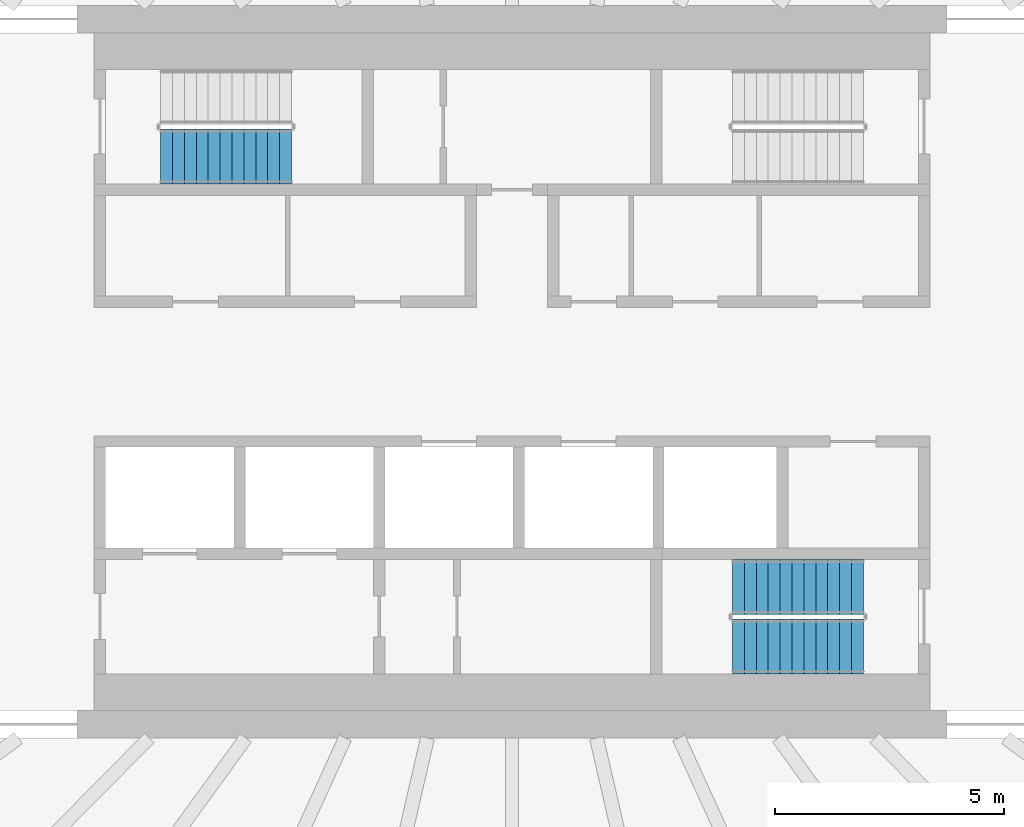
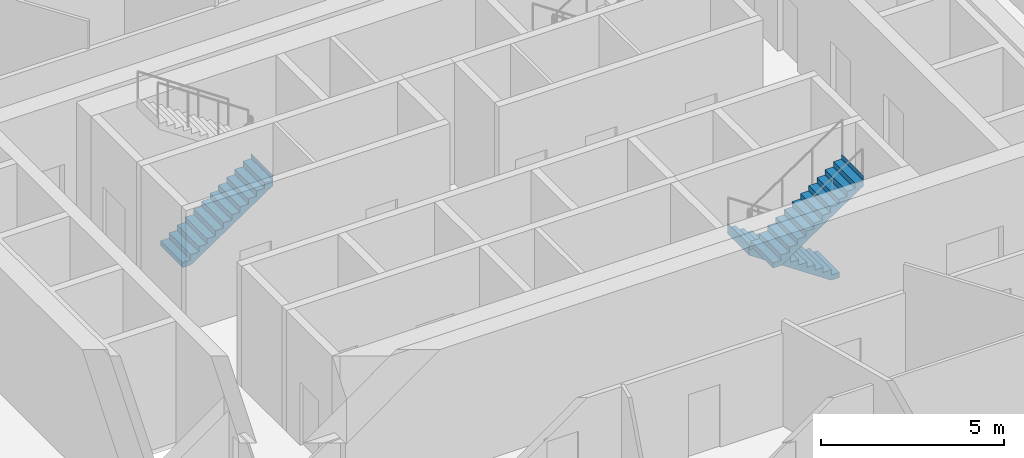
# One storey, part 18 of 25: 3 stair flights, 2 elements without a shape of their own.
"""IFC4 building model written with IfcOpenShell, lengths in metres."""

from ifc_helpers import new_model, si_unit, direction, frame, origin, place, context, subcontext, project, spatial, triangles, material, type_object, element, aggregate, save


model = new_model("IFC4")

# Units and contexts
model_context = context("Model", 3, precision=1e-05, world=origin(), true_north=direction((0.0, 1.0)))
body_context = subcontext(model_context, "Body", "Model", "MODEL_VIEW")
ifc_project = project(units=[si_unit("LENGTHUNIT", "METRE"), si_unit("AREAUNIT", "SQUARE_METRE"), si_unit("VOLUMEUNIT", "CUBIC_METRE"), si_unit("PLANEANGLEUNIT", "RADIAN"), si_unit("MASSUNIT", "GRAM", prefix="KILO")], contexts=[model_context])

# Site, building, storey
site_placement = place(None, origin())
site = spatial("IfcSite", under=ifc_project, at=site_placement, CompositionType="ELEMENT")
building_placement = place(site_placement, origin())
building = spatial("IfcBuilding", under=site, at=building_placement, Name="Sahrelin Media Tower", CompositionType="ELEMENT")
storey_placement = place(building_placement, frame((0.0, 0.0, 106.199951171875)))
storey = spatial("IfcBuildingStorey", under=building, at=storey_placement, Name="L20", CompositionType="ELEMENT", Elevation=106.199951171875)

# Stair, stair flight
ifc_material = material(Name="Concrete C40/50", Category="concrete")
stair_type = type_object("IfcStairType", Name="Exit stair 1200", PredefinedType="HALF_TURN_STAIR", material=ifc_material)
placement = place(storey_placement, origin())
stair_1 = element("IfcStair", 1, at=placement, inside=storey, type_object=stair_type, Name="L20 Exit stair ST1", PredefinedType="HALF_TURN_STAIR")
stair_flight_type = type_object("IfcStairFlightType", Name="Stair flight 1200", PredefinedType="STRAIGHT", material=ifc_material)
stair_flight_1_placement = place(storey_placement, frame((-7.675048828125, 4.699951171875, 0.0), z_axis=(0.0, 0.0, 1.0), x_axis=(1.0, 0.0, 0.0)))
stair_flight_1 = element("IfcStairFlight", 2, at=stair_flight_1_placement, type_object=stair_flight_type, Name="ST1 flight 1", NumberOfRisers=12, NumberOfTreads=11, PredefinedType="STRAIGHT", RiserHeight=0.175, TreadLength=0.26, context=body_context, shape_type="Tessellation", body=[
    triangles([(0.2685546875, 0.60009765625, 0.0), (0.2685546875, 0.300048828125, 0.0), (0.2685546875, 0.0, 0.0), (0.2685546875, -0.300048828125, 0.0), (0.2685546875, -0.60009765625, 0.0), (2.860107421875, 0.60009765625, 1.744384765625), (2.860107421875, 0.300048828125, 1.744384765625), (2.860107421875, 0.0, 1.744384765625), (2.860107421875, -0.300048828125, 1.744384765625), (2.860107421875, -0.60009765625, 1.744384765625), (2.860107421875, 0.60009765625, 2.10009765625), (2.860107421875, 0.300048828125, 2.10009765625), (2.860107421875, 0.0, 2.10009765625), (2.860107421875, -0.300048828125, 2.10009765625), (2.860107421875, -0.60009765625, 2.10009765625), (2.85791015625, 0.60009765625, 2.10009765625), (2.85791015625, 0.300048828125, 2.10009765625), (2.85791015625, 0.0, 2.10009765625), (2.85791015625, -0.300048828125, 2.10009765625), (2.85791015625, -0.60009765625, 2.10009765625), (2.85791015625, 0.60009765625, 1.925048828125), (2.85791015625, 0.300048828125, 1.925048828125), (2.85791015625, 0.0, 1.925048828125), (2.85791015625, -0.300048828125, 1.925048828125), (2.85791015625, -0.60009765625, 1.925048828125), (2.60009765625, 0.60009765625, 1.925048828125), (2.60009765625, 0.300048828125, 1.925048828125), (2.60009765625, 0.0, 1.925048828125), (2.60009765625, -0.300048828125, 1.925048828125), (2.60009765625, -0.60009765625, 1.925048828125), (2.60009765625, 0.60009765625, 1.75), (2.60009765625, 0.300048828125, 1.75), (2.60009765625, 0.0, 1.75), (2.60009765625, -0.300048828125, 1.75), (2.60009765625, -0.60009765625, 1.75), (2.340087890625, 0.60009765625, 1.75), (2.340087890625, 0.300048828125, 1.75), (2.340087890625, 0.0, 1.75), (2.340087890625, -0.300048828125, 1.75), (2.340087890625, -0.60009765625, 1.75), (2.340087890625, 0.60009765625, 1.574951171875), (2.340087890625, 0.300048828125, 1.574951171875), (2.340087890625, 0.0, 1.574951171875), (2.340087890625, -0.300048828125, 1.574951171875), (2.340087890625, -0.60009765625, 1.574951171875), (2.080078125, 0.60009765625, 1.574951171875), (2.080078125, 0.300048828125, 1.574951171875), (2.080078125, 0.0, 1.574951171875), (2.080078125, -0.300048828125, 1.574951171875), (2.080078125, -0.60009765625, 1.574951171875), (2.080078125, 0.60009765625, 1.39990234375), (2.080078125, 0.300048828125, 1.39990234375), (2.080078125, 0.0, 1.39990234375), (2.080078125, -0.300048828125, 1.39990234375), (2.080078125, -0.60009765625, 1.39990234375), (1.820068359375, 0.60009765625, 1.39990234375), (1.820068359375, 0.300048828125, 1.39990234375), (1.820068359375, 0.0, 1.39990234375), (1.820068359375, -0.300048828125, 1.39990234375), (1.820068359375, -0.60009765625, 1.39990234375), (1.820068359375, 0.60009765625, 1.22509765625), (1.820068359375, 0.300048828125, 1.22509765625), (1.820068359375, 0.0, 1.22509765625), (1.820068359375, -0.300048828125, 1.22509765625), (1.820068359375, -0.60009765625, 1.22509765625), (1.56005859375, 0.60009765625, 1.22509765625), (1.56005859375, 0.300048828125, 1.22509765625), (1.56005859375, 0.0, 1.22509765625), (1.56005859375, -0.300048828125, 1.22509765625), (1.56005859375, -0.60009765625, 1.22509765625), (1.56005859375, 0.60009765625, 1.050048828125), (1.56005859375, 0.300048828125, 1.050048828125), (1.56005859375, 0.0, 1.050048828125), (1.56005859375, -0.300048828125, 1.050048828125), (1.56005859375, -0.60009765625, 1.050048828125), (1.300048828125, 0.60009765625, 1.050048828125), (1.300048828125, 0.300048828125, 1.050048828125), (1.300048828125, 0.0, 1.050048828125), (1.300048828125, -0.300048828125, 1.050048828125), (1.300048828125, -0.60009765625, 1.050048828125), (1.300048828125, 0.60009765625, 0.875), (1.300048828125, 0.300048828125, 0.875), (1.300048828125, 0.0, 0.875), (1.300048828125, -0.300048828125, 0.875), (1.300048828125, -0.60009765625, 0.875), (1.0400390625, 0.60009765625, 0.875), (1.0400390625, 0.300048828125, 0.875), (1.0400390625, 0.0, 0.875), (1.0400390625, -0.300048828125, 0.875), (1.0400390625, -0.60009765625, 0.875), (1.0400390625, 0.60009765625, 0.699951171875), (1.0400390625, 0.300048828125, 0.699951171875), (1.0400390625, 0.0, 0.699951171875), (1.0400390625, -0.300048828125, 0.699951171875), (1.0400390625, -0.60009765625, 0.699951171875), (0.780029296875, 0.60009765625, 0.699951171875), (0.780029296875, 0.300048828125, 0.699951171875), (0.780029296875, 0.0, 0.699951171875), (0.780029296875, -0.300048828125, 0.699951171875), (0.780029296875, -0.60009765625, 0.699951171875), (0.780029296875, 0.60009765625, 0.52490234375), (0.780029296875, 0.300048828125, 0.52490234375), (0.780029296875, 0.0, 0.52490234375), (0.780029296875, -0.300048828125, 0.52490234375), (0.780029296875, -0.60009765625, 0.52490234375), (0.52001953125, 0.60009765625, 0.52490234375), (0.52001953125, 0.300048828125, 0.52490234375), (0.52001953125, 0.0, 0.52490234375), (0.52001953125, -0.300048828125, 0.52490234375), (0.52001953125, -0.60009765625, 0.52490234375), (0.52001953125, 0.60009765625, 0.35009765625), (0.52001953125, 0.300048828125, 0.35009765625), (0.52001953125, 0.0, 0.35009765625), (0.52001953125, -0.300048828125, 0.35009765625), (0.52001953125, -0.60009765625, 0.35009765625), (0.260009765625, 0.60009765625, 0.35009765625), (0.260009765625, 0.300048828125, 0.35009765625), (0.260009765625, 0.0, 0.35009765625), (0.260009765625, -0.300048828125, 0.35009765625), (0.260009765625, -0.60009765625, 0.35009765625), (0.260009765625, 0.60009765625, 0.175048828125), (0.260009765625, 0.300048828125, 0.175048828125), (0.260009765625, 0.0, 0.175048828125), (0.260009765625, -0.300048828125, 0.175048828125), (0.260009765625, -0.60009765625, 0.175048828125), (0.0, 0.60009765625, 0.175048828125), (0.0, 0.300048828125, 0.175048828125), (0.0, 0.0, 0.175048828125), (0.0, -0.300048828125, 0.175048828125), (0.0, -0.60009765625, 0.175048828125), (0.0, 0.60009765625, 0.0), (0.0, 0.300048828125, 0.0), (0.0, 0.0, 0.0), (0.0, -0.300048828125, 0.0), (0.0, -0.60009765625, 0.0)], [[1, 6, 7], [1, 7, 2], [2, 7, 8], [2, 8, 3], [3, 8, 9], [3, 9, 4], [4, 9, 10], [4, 10, 5], [6, 11, 12], [6, 12, 7], [7, 12, 13], [7, 13, 8], [8, 13, 14], [8, 14, 9], [9, 14, 15], [9, 15, 10], [11, 16, 17], [11, 17, 12], [12, 17, 18], [12, 18, 13], [13, 18, 19], [13, 19, 14], [14, 19, 20], [14, 20, 15], [16, 21, 22], [16, 22, 17], [17, 22, 23], [17, 23, 18], [18, 23, 24], [18, 24, 19], [19, 24, 25], [19, 25, 20], [21, 26, 27], [21, 27, 22], [22, 27, 28], [22, 28, 23], [23, 28, 29], [23, 29, 24], [24, 29, 30], [24, 30, 25], [26, 31, 32], [26, 32, 27], [27, 32, 33], [27, 33, 28], [28, 33, 34], [28, 34, 29], [29, 34, 35], [29, 35, 30], [31, 36, 37], [31, 37, 32], [32, 37, 38], [32, 38, 33], [33, 38, 39], [33, 39, 34], [34, 39, 40], [34, 40, 35], [36, 41, 42], [36, 42, 37], [37, 42, 43], [37, 43, 38], [38, 43, 44], [38, 44, 39], [39, 44, 45], [39, 45, 40], [41, 46, 47], [41, 47, 42], [42, 47, 48], [42, 48, 43], [43, 48, 49], [43, 49, 44], [44, 49, 50], [44, 50, 45], [46, 51, 52], [46, 52, 47], [47, 52, 53], [47, 53, 48], [48, 53, 54], [48, 54, 49], [49, 54, 55], [49, 55, 50], [51, 56, 57], [51, 57, 52], [52, 57, 58], [52, 58, 53], [53, 58, 59], [53, 59, 54], [54, 59, 60], [54, 60, 55], [56, 61, 62], [56, 62, 57], [57, 62, 63], [57, 63, 58], [58, 63, 64], [58, 64, 59], [59, 64, 65], [59, 65, 60], [61, 66, 67], [61, 67, 62], [62, 67, 68], [62, 68, 63], [63, 68, 69], [63, 69, 64], [64, 69, 70], [64, 70, 65], [66, 71, 72], [66, 72, 67], [67, 72, 73], [67, 73, 68], [68, 73, 74], [68, 74, 69], [69, 74, 75], [69, 75, 70], [71, 76, 77], [71, 77, 72], [72, 77, 78], [72, 78, 73], [73, 78, 79], [73, 79, 74], [74, 79, 80], [74, 80, 75], [76, 81, 82], [76, 82, 77], [77, 82, 83], [77, 83, 78], [78, 83, 84], [78, 84, 79], [79, 84, 85], [79, 85, 80], [81, 86, 87], [81, 87, 82], [82, 87, 88], [82, 88, 83], [83, 88, 89], [83, 89, 84], [84, 89, 90], [84, 90, 85], [86, 91, 92], [86, 92, 87], [87, 92, 93], [87, 93, 88], [88, 93, 94], [88, 94, 89], [89, 94, 95], [89, 95, 90], [91, 96, 97], [91, 97, 92], [92, 97, 98], [92, 98, 93], [93, 98, 99], [93, 99, 94], [94, 99, 100], [94, 100, 95], [96, 101, 102], [96, 102, 97], [97, 102, 103], [97, 103, 98], [98, 103, 104], [98, 104, 99], [99, 104, 105], [99, 105, 100], [101, 106, 107], [101, 107, 102], [102, 107, 108], [102, 108, 103], [103, 108, 109], [103, 109, 104], [104, 109, 110], [104, 110, 105], [106, 111, 112], [106, 112, 107], [107, 112, 113], [107, 113, 108], [108, 113, 114], [108, 114, 109], [109, 114, 115], [109, 115, 110], [111, 116, 117], [111, 117, 112], [112, 117, 118], [112, 118, 113], [113, 118, 119], [113, 119, 114], [114, 119, 120], [114, 120, 115], [116, 121, 122], [116, 122, 117], [117, 122, 123], [117, 123, 118], [118, 123, 124], [118, 124, 119], [119, 124, 125], [119, 125, 120], [121, 126, 127], [121, 127, 122], [122, 127, 128], [122, 128, 123], [123, 128, 129], [123, 129, 124], [124, 129, 130], [124, 130, 125], [126, 131, 132], [126, 132, 127], [127, 132, 133], [127, 133, 128], [128, 133, 134], [128, 134, 129], [129, 134, 135], [129, 135, 130], [131, 1, 2], [131, 2, 132], [132, 2, 3], [132, 3, 133], [133, 3, 4], [133, 4, 134], [134, 4, 5], [134, 5, 135], [125, 130, 135], [121, 131, 126], [125, 115, 120], [121, 116, 111], [115, 105, 110], [111, 106, 101], [105, 95, 100], [101, 96, 91], [95, 85, 90], [91, 86, 81], [85, 75, 80], [81, 76, 71], [75, 65, 70], [71, 66, 61], [65, 55, 60], [61, 56, 51], [55, 45, 50], [51, 46, 41], [45, 35, 40], [41, 36, 31], [35, 25, 30], [31, 26, 21], [25, 15, 20], [21, 16, 11], [135, 5, 125], [131, 121, 1], [95, 105, 5], [91, 1, 101], [5, 10, 75], [1, 71, 6], [10, 35, 45], [6, 41, 31], [25, 10, 15], [21, 11, 6], [115, 125, 5], [111, 1, 121], [75, 85, 5], [71, 1, 81], [35, 10, 25], [31, 21, 6], [105, 115, 5], [101, 1, 111], [45, 55, 10], [41, 6, 51], [85, 95, 5], [81, 1, 91], [65, 10, 55], [61, 51, 6], [10, 65, 75], [6, 71, 61]], closed=True),
])
aggregate(stair_1, [stair_flight_1])

# Stair, stair flights
stair_2 = element("IfcStair", 3, at=placement, inside=storey, type_object=stair_type, Name="L20 Exit stair ST2", PredefinedType="HALF_TURN_STAIR")
stair_flight_2_placement = place(storey_placement, frame((7.675048828125, -4.699951171875, 0.0), z_axis=(0.0, 0.0, 1.0), x_axis=(-1.0, 0.0, 0.0)))
stair_flight_2 = element("IfcStairFlight", 4, at=stair_flight_2_placement, type_object=stair_flight_type, Name="ST2 flight 1", NumberOfRisers=12, NumberOfTreads=11, PredefinedType="STRAIGHT", RiserHeight=0.175, TreadLength=0.26, context=body_context, shape_type="Tessellation", body=[
    triangles([(0.2685546875, 0.60009765625, 0.0), (0.2685546875, 0.300048828125, 0.0), (0.2685546875, 0.0, 0.0), (0.2685546875, -0.300048828125, 0.0), (0.2685546875, -0.60009765625, 0.0), (2.860107421875, 0.60009765625, 1.744384765625), (2.860107421875, 0.300048828125, 1.744384765625), (2.860107421875, 0.0, 1.744384765625), (2.860107421875, -0.300048828125, 1.744384765625), (2.860107421875, -0.60009765625, 1.744384765625), (2.860107421875, 0.60009765625, 2.10009765625), (2.860107421875, 0.300048828125, 2.10009765625), (2.860107421875, 0.0, 2.10009765625), (2.860107421875, -0.300048828125, 2.10009765625), (2.860107421875, -0.60009765625, 2.10009765625), (2.85791015625, 0.60009765625, 2.10009765625), (2.85791015625, 0.300048828125, 2.10009765625), (2.85791015625, 0.0, 2.10009765625), (2.85791015625, -0.300048828125, 2.10009765625), (2.85791015625, -0.60009765625, 2.10009765625), (2.85791015625, 0.60009765625, 1.925048828125), (2.85791015625, 0.300048828125, 1.925048828125), (2.85791015625, 0.0, 1.925048828125), (2.85791015625, -0.300048828125, 1.925048828125), (2.85791015625, -0.60009765625, 1.925048828125), (2.60009765625, 0.60009765625, 1.925048828125), (2.60009765625, 0.300048828125, 1.925048828125), (2.60009765625, 0.0, 1.925048828125), (2.60009765625, -0.300048828125, 1.925048828125), (2.60009765625, -0.60009765625, 1.925048828125), (2.60009765625, 0.60009765625, 1.75), (2.60009765625, 0.300048828125, 1.75), (2.60009765625, 0.0, 1.75), (2.60009765625, -0.300048828125, 1.75), (2.60009765625, -0.60009765625, 1.75), (2.340087890625, 0.60009765625, 1.75), (2.340087890625, 0.300048828125, 1.75), (2.340087890625, 0.0, 1.75), (2.340087890625, -0.300048828125, 1.75), (2.340087890625, -0.60009765625, 1.75), (2.340087890625, 0.60009765625, 1.574951171875), (2.340087890625, 0.300048828125, 1.574951171875), (2.340087890625, 0.0, 1.574951171875), (2.340087890625, -0.300048828125, 1.574951171875), (2.340087890625, -0.60009765625, 1.574951171875), (2.080078125, 0.60009765625, 1.574951171875), (2.080078125, 0.300048828125, 1.574951171875), (2.080078125, 0.0, 1.574951171875), (2.080078125, -0.300048828125, 1.574951171875), (2.080078125, -0.60009765625, 1.574951171875), (2.080078125, 0.60009765625, 1.39990234375), (2.080078125, 0.300048828125, 1.39990234375), (2.080078125, 0.0, 1.39990234375), (2.080078125, -0.300048828125, 1.39990234375), (2.080078125, -0.60009765625, 1.39990234375), (1.820068359375, 0.60009765625, 1.39990234375), (1.820068359375, 0.300048828125, 1.39990234375), (1.820068359375, 0.0, 1.39990234375), (1.820068359375, -0.300048828125, 1.39990234375), (1.820068359375, -0.60009765625, 1.39990234375), (1.820068359375, 0.60009765625, 1.22509765625), (1.820068359375, 0.300048828125, 1.22509765625), (1.820068359375, 0.0, 1.22509765625), (1.820068359375, -0.300048828125, 1.22509765625), (1.820068359375, -0.60009765625, 1.22509765625), (1.56005859375, 0.60009765625, 1.22509765625), (1.56005859375, 0.300048828125, 1.22509765625), (1.56005859375, 0.0, 1.22509765625), (1.56005859375, -0.300048828125, 1.22509765625), (1.56005859375, -0.60009765625, 1.22509765625), (1.56005859375, 0.60009765625, 1.050048828125), (1.56005859375, 0.300048828125, 1.050048828125), (1.56005859375, 0.0, 1.050048828125), (1.56005859375, -0.300048828125, 1.050048828125), (1.56005859375, -0.60009765625, 1.050048828125), (1.300048828125, 0.60009765625, 1.050048828125), (1.300048828125, 0.300048828125, 1.050048828125), (1.300048828125, 0.0, 1.050048828125), (1.300048828125, -0.300048828125, 1.050048828125), (1.300048828125, -0.60009765625, 1.050048828125), (1.300048828125, 0.60009765625, 0.875), (1.300048828125, 0.300048828125, 0.875), (1.300048828125, 0.0, 0.875), (1.300048828125, -0.300048828125, 0.875), (1.300048828125, -0.60009765625, 0.875), (1.0400390625, 0.60009765625, 0.875), (1.0400390625, 0.300048828125, 0.875), (1.0400390625, 0.0, 0.875), (1.0400390625, -0.300048828125, 0.875), (1.0400390625, -0.60009765625, 0.875), (1.0400390625, 0.60009765625, 0.699951171875), (1.0400390625, 0.300048828125, 0.699951171875), (1.0400390625, 0.0, 0.699951171875), (1.0400390625, -0.300048828125, 0.699951171875), (1.0400390625, -0.60009765625, 0.699951171875), (0.780029296875, 0.60009765625, 0.699951171875), (0.780029296875, 0.300048828125, 0.699951171875), (0.780029296875, 0.0, 0.699951171875), (0.780029296875, -0.300048828125, 0.699951171875), (0.780029296875, -0.60009765625, 0.699951171875), (0.780029296875, 0.60009765625, 0.52490234375), (0.780029296875, 0.300048828125, 0.52490234375), (0.780029296875, 0.0, 0.52490234375), (0.780029296875, -0.300048828125, 0.52490234375), (0.780029296875, -0.60009765625, 0.52490234375), (0.52001953125, 0.60009765625, 0.52490234375), (0.52001953125, 0.300048828125, 0.52490234375), (0.52001953125, 0.0, 0.52490234375), (0.52001953125, -0.300048828125, 0.52490234375), (0.52001953125, -0.60009765625, 0.52490234375), (0.52001953125, 0.60009765625, 0.35009765625), (0.52001953125, 0.300048828125, 0.35009765625), (0.52001953125, 0.0, 0.35009765625), (0.52001953125, -0.300048828125, 0.35009765625), (0.52001953125, -0.60009765625, 0.35009765625), (0.260009765625, 0.60009765625, 0.35009765625), (0.260009765625, 0.300048828125, 0.35009765625), (0.260009765625, 0.0, 0.35009765625), (0.260009765625, -0.300048828125, 0.35009765625), (0.260009765625, -0.60009765625, 0.35009765625), (0.260009765625, 0.60009765625, 0.175048828125), (0.260009765625, 0.300048828125, 0.175048828125), (0.260009765625, 0.0, 0.175048828125), (0.260009765625, -0.300048828125, 0.175048828125), (0.260009765625, -0.60009765625, 0.175048828125), (0.0, 0.60009765625, 0.175048828125), (0.0, 0.300048828125, 0.175048828125), (0.0, 0.0, 0.175048828125), (0.0, -0.300048828125, 0.175048828125), (0.0, -0.60009765625, 0.175048828125), (0.0, 0.60009765625, 0.0), (0.0, 0.300048828125, 0.0), (0.0, 0.0, 0.0), (0.0, -0.300048828125, 0.0), (0.0, -0.60009765625, 0.0)], [[1, 6, 7], [1, 7, 2], [2, 7, 8], [2, 8, 3], [3, 8, 9], [3, 9, 4], [4, 9, 10], [4, 10, 5], [6, 11, 12], [6, 12, 7], [7, 12, 13], [7, 13, 8], [8, 13, 14], [8, 14, 9], [9, 14, 15], [9, 15, 10], [11, 16, 17], [11, 17, 12], [12, 17, 18], [12, 18, 13], [13, 18, 19], [13, 19, 14], [14, 19, 20], [14, 20, 15], [16, 21, 22], [16, 22, 17], [17, 22, 23], [17, 23, 18], [18, 23, 24], [18, 24, 19], [19, 24, 25], [19, 25, 20], [21, 26, 27], [21, 27, 22], [22, 27, 28], [22, 28, 23], [23, 28, 29], [23, 29, 24], [24, 29, 30], [24, 30, 25], [26, 31, 32], [26, 32, 27], [27, 32, 33], [27, 33, 28], [28, 33, 34], [28, 34, 29], [29, 34, 35], [29, 35, 30], [31, 36, 37], [31, 37, 32], [32, 37, 38], [32, 38, 33], [33, 38, 39], [33, 39, 34], [34, 39, 40], [34, 40, 35], [36, 41, 42], [36, 42, 37], [37, 42, 43], [37, 43, 38], [38, 43, 44], [38, 44, 39], [39, 44, 45], [39, 45, 40], [41, 46, 47], [41, 47, 42], [42, 47, 48], [42, 48, 43], [43, 48, 49], [43, 49, 44], [44, 49, 50], [44, 50, 45], [46, 51, 52], [46, 52, 47], [47, 52, 53], [47, 53, 48], [48, 53, 54], [48, 54, 49], [49, 54, 55], [49, 55, 50], [51, 56, 57], [51, 57, 52], [52, 57, 58], [52, 58, 53], [53, 58, 59], [53, 59, 54], [54, 59, 60], [54, 60, 55], [56, 61, 62], [56, 62, 57], [57, 62, 63], [57, 63, 58], [58, 63, 64], [58, 64, 59], [59, 64, 65], [59, 65, 60], [61, 66, 67], [61, 67, 62], [62, 67, 68], [62, 68, 63], [63, 68, 69], [63, 69, 64], [64, 69, 70], [64, 70, 65], [66, 71, 72], [66, 72, 67], [67, 72, 73], [67, 73, 68], [68, 73, 74], [68, 74, 69], [69, 74, 75], [69, 75, 70], [71, 76, 77], [71, 77, 72], [72, 77, 78], [72, 78, 73], [73, 78, 79], [73, 79, 74], [74, 79, 80], [74, 80, 75], [76, 81, 82], [76, 82, 77], [77, 82, 83], [77, 83, 78], [78, 83, 84], [78, 84, 79], [79, 84, 85], [79, 85, 80], [81, 86, 87], [81, 87, 82], [82, 87, 88], [82, 88, 83], [83, 88, 89], [83, 89, 84], [84, 89, 90], [84, 90, 85], [86, 91, 92], [86, 92, 87], [87, 92, 93], [87, 93, 88], [88, 93, 94], [88, 94, 89], [89, 94, 95], [89, 95, 90], [91, 96, 97], [91, 97, 92], [92, 97, 98], [92, 98, 93], [93, 98, 99], [93, 99, 94], [94, 99, 100], [94, 100, 95], [96, 101, 102], [96, 102, 97], [97, 102, 103], [97, 103, 98], [98, 103, 104], [98, 104, 99], [99, 104, 105], [99, 105, 100], [101, 106, 107], [101, 107, 102], [102, 107, 108], [102, 108, 103], [103, 108, 109], [103, 109, 104], [104, 109, 110], [104, 110, 105], [106, 111, 112], [106, 112, 107], [107, 112, 113], [107, 113, 108], [108, 113, 114], [108, 114, 109], [109, 114, 115], [109, 115, 110], [111, 116, 117], [111, 117, 112], [112, 117, 118], [112, 118, 113], [113, 118, 119], [113, 119, 114], [114, 119, 120], [114, 120, 115], [116, 121, 122], [116, 122, 117], [117, 122, 123], [117, 123, 118], [118, 123, 124], [118, 124, 119], [119, 124, 125], [119, 125, 120], [121, 126, 127], [121, 127, 122], [122, 127, 128], [122, 128, 123], [123, 128, 129], [123, 129, 124], [124, 129, 130], [124, 130, 125], [126, 131, 132], [126, 132, 127], [127, 132, 133], [127, 133, 128], [128, 133, 134], [128, 134, 129], [129, 134, 135], [129, 135, 130], [131, 1, 2], [131, 2, 132], [132, 2, 3], [132, 3, 133], [133, 3, 4], [133, 4, 134], [134, 4, 5], [134, 5, 135], [125, 130, 135], [121, 131, 126], [125, 115, 120], [121, 116, 111], [115, 105, 110], [111, 106, 101], [105, 95, 100], [101, 96, 91], [95, 85, 90], [91, 86, 81], [85, 75, 80], [81, 76, 71], [75, 65, 70], [71, 66, 61], [65, 55, 60], [61, 56, 51], [55, 45, 50], [51, 46, 41], [45, 35, 40], [41, 36, 31], [35, 25, 30], [31, 26, 21], [25, 15, 20], [21, 16, 11], [135, 5, 125], [131, 121, 1], [95, 105, 5], [91, 1, 101], [5, 10, 75], [1, 71, 6], [10, 35, 45], [6, 41, 31], [25, 10, 15], [21, 11, 6], [115, 125, 5], [111, 1, 121], [75, 85, 5], [71, 1, 81], [35, 10, 25], [31, 21, 6], [105, 115, 5], [101, 1, 111], [45, 55, 10], [41, 6, 51], [85, 95, 5], [81, 1, 91], [65, 10, 55], [61, 51, 6], [10, 65, 75], [6, 71, 61]], closed=True),
])
stair_flight_3_placement = place(storey_placement, frame((4.81494140625, -6.0, 2.10009765625), z_axis=(0.0, 0.0, 1.0), x_axis=(1.0, 0.0, 0.0)))
stair_flight_3 = element("IfcStairFlight", 5, at=stair_flight_3_placement, type_object=stair_flight_type, Name="ST2 flight 2", NumberOfRisers=12, NumberOfTreads=11, PredefinedType="STRAIGHT", RiserHeight=0.175, TreadLength=0.26, context=body_context, shape_type="Tessellation", body=[
    triangles([(0.2685546875, 0.60009765625, 0.0), (0.2685546875, 0.300048828125, 0.0), (0.2685546875, 0.0, 0.0), (0.2685546875, -0.300048828125, 0.0), (0.2685546875, -0.60009765625, 0.0), (2.860107421875, 0.60009765625, 1.744384765625), (2.860107421875, 0.300048828125, 1.744384765625), (2.860107421875, 0.0, 1.744384765625), (2.860107421875, -0.300048828125, 1.744384765625), (2.860107421875, -0.60009765625, 1.744384765625), (2.860107421875, 0.60009765625, 2.10009765625), (2.860107421875, 0.300048828125, 2.10009765625), (2.860107421875, 0.0, 2.10009765625), (2.860107421875, -0.300048828125, 2.10009765625), (2.860107421875, -0.60009765625, 2.10009765625), (2.85791015625, 0.60009765625, 2.10009765625), (2.85791015625, 0.300048828125, 2.10009765625), (2.85791015625, 0.0, 2.10009765625), (2.85791015625, -0.300048828125, 2.10009765625), (2.85791015625, -0.60009765625, 2.10009765625), (2.85791015625, 0.60009765625, 1.925048828125), (2.85791015625, 0.300048828125, 1.925048828125), (2.85791015625, 0.0, 1.925048828125), (2.85791015625, -0.300048828125, 1.925048828125), (2.85791015625, -0.60009765625, 1.925048828125), (2.60009765625, 0.60009765625, 1.925048828125), (2.60009765625, 0.300048828125, 1.925048828125), (2.60009765625, 0.0, 1.925048828125), (2.60009765625, -0.300048828125, 1.925048828125), (2.60009765625, -0.60009765625, 1.925048828125), (2.60009765625, 0.60009765625, 1.75), (2.60009765625, 0.300048828125, 1.75), (2.60009765625, 0.0, 1.75), (2.60009765625, -0.300048828125, 1.75), (2.60009765625, -0.60009765625, 1.75), (2.340087890625, 0.60009765625, 1.75), (2.340087890625, 0.300048828125, 1.75), (2.340087890625, 0.0, 1.75), (2.340087890625, -0.300048828125, 1.75), (2.340087890625, -0.60009765625, 1.75), (2.340087890625, 0.60009765625, 1.574951171875), (2.340087890625, 0.300048828125, 1.574951171875), (2.340087890625, 0.0, 1.574951171875), (2.340087890625, -0.300048828125, 1.574951171875), (2.340087890625, -0.60009765625, 1.574951171875), (2.080078125, 0.60009765625, 1.574951171875), (2.080078125, 0.300048828125, 1.574951171875), (2.080078125, 0.0, 1.574951171875), (2.080078125, -0.300048828125, 1.574951171875), (2.080078125, -0.60009765625, 1.574951171875), (2.080078125, 0.60009765625, 1.39990234375), (2.080078125, 0.300048828125, 1.39990234375), (2.080078125, 0.0, 1.39990234375), (2.080078125, -0.300048828125, 1.39990234375), (2.080078125, -0.60009765625, 1.39990234375), (1.820068359375, 0.60009765625, 1.39990234375), (1.820068359375, 0.300048828125, 1.39990234375), (1.820068359375, 0.0, 1.39990234375), (1.820068359375, -0.300048828125, 1.39990234375), (1.820068359375, -0.60009765625, 1.39990234375), (1.820068359375, 0.60009765625, 1.22509765625), (1.820068359375, 0.300048828125, 1.22509765625), (1.820068359375, 0.0, 1.22509765625), (1.820068359375, -0.300048828125, 1.22509765625), (1.820068359375, -0.60009765625, 1.22509765625), (1.56005859375, 0.60009765625, 1.22509765625), (1.56005859375, 0.300048828125, 1.22509765625), (1.56005859375, 0.0, 1.22509765625), (1.56005859375, -0.300048828125, 1.22509765625), (1.56005859375, -0.60009765625, 1.22509765625), (1.56005859375, 0.60009765625, 1.050048828125), (1.56005859375, 0.300048828125, 1.050048828125), (1.56005859375, 0.0, 1.050048828125), (1.56005859375, -0.300048828125, 1.050048828125), (1.56005859375, -0.60009765625, 1.050048828125), (1.300048828125, 0.60009765625, 1.050048828125), (1.300048828125, 0.300048828125, 1.050048828125), (1.300048828125, 0.0, 1.050048828125), (1.300048828125, -0.300048828125, 1.050048828125), (1.300048828125, -0.60009765625, 1.050048828125), (1.300048828125, 0.60009765625, 0.875), (1.300048828125, 0.300048828125, 0.875), (1.300048828125, 0.0, 0.875), (1.300048828125, -0.300048828125, 0.875), (1.300048828125, -0.60009765625, 0.875), (1.0400390625, 0.60009765625, 0.875), (1.0400390625, 0.300048828125, 0.875), (1.0400390625, 0.0, 0.875), (1.0400390625, -0.300048828125, 0.875), (1.0400390625, -0.60009765625, 0.875), (1.0400390625, 0.60009765625, 0.699951171875), (1.0400390625, 0.300048828125, 0.699951171875), (1.0400390625, 0.0, 0.699951171875), (1.0400390625, -0.300048828125, 0.699951171875), (1.0400390625, -0.60009765625, 0.699951171875), (0.780029296875, 0.60009765625, 0.699951171875), (0.780029296875, 0.300048828125, 0.699951171875), (0.780029296875, 0.0, 0.699951171875), (0.780029296875, -0.300048828125, 0.699951171875), (0.780029296875, -0.60009765625, 0.699951171875), (0.780029296875, 0.60009765625, 0.52490234375), (0.780029296875, 0.300048828125, 0.52490234375), (0.780029296875, 0.0, 0.52490234375), (0.780029296875, -0.300048828125, 0.52490234375), (0.780029296875, -0.60009765625, 0.52490234375), (0.52001953125, 0.60009765625, 0.52490234375), (0.52001953125, 0.300048828125, 0.52490234375), (0.52001953125, 0.0, 0.52490234375), (0.52001953125, -0.300048828125, 0.52490234375), (0.52001953125, -0.60009765625, 0.52490234375), (0.52001953125, 0.60009765625, 0.35009765625), (0.52001953125, 0.300048828125, 0.35009765625), (0.52001953125, 0.0, 0.35009765625), (0.52001953125, -0.300048828125, 0.35009765625), (0.52001953125, -0.60009765625, 0.35009765625), (0.260009765625, 0.60009765625, 0.35009765625), (0.260009765625, 0.300048828125, 0.35009765625), (0.260009765625, 0.0, 0.35009765625), (0.260009765625, -0.300048828125, 0.35009765625), (0.260009765625, -0.60009765625, 0.35009765625), (0.260009765625, 0.60009765625, 0.175048828125), (0.260009765625, 0.300048828125, 0.175048828125), (0.260009765625, 0.0, 0.175048828125), (0.260009765625, -0.300048828125, 0.175048828125), (0.260009765625, -0.60009765625, 0.175048828125), (0.0, 0.60009765625, 0.175048828125), (0.0, 0.300048828125, 0.175048828125), (0.0, 0.0, 0.175048828125), (0.0, -0.300048828125, 0.175048828125), (0.0, -0.60009765625, 0.175048828125), (0.0, 0.60009765625, 0.0), (0.0, 0.300048828125, 0.0), (0.0, 0.0, 0.0), (0.0, -0.300048828125, 0.0), (0.0, -0.60009765625, 0.0)], [[1, 6, 7], [1, 7, 2], [2, 7, 8], [2, 8, 3], [3, 8, 9], [3, 9, 4], [4, 9, 10], [4, 10, 5], [6, 11, 12], [6, 12, 7], [7, 12, 13], [7, 13, 8], [8, 13, 14], [8, 14, 9], [9, 14, 15], [9, 15, 10], [11, 16, 17], [11, 17, 12], [12, 17, 18], [12, 18, 13], [13, 18, 19], [13, 19, 14], [14, 19, 20], [14, 20, 15], [16, 21, 22], [16, 22, 17], [17, 22, 23], [17, 23, 18], [18, 23, 24], [18, 24, 19], [19, 24, 25], [19, 25, 20], [21, 26, 27], [21, 27, 22], [22, 27, 28], [22, 28, 23], [23, 28, 29], [23, 29, 24], [24, 29, 30], [24, 30, 25], [26, 31, 32], [26, 32, 27], [27, 32, 33], [27, 33, 28], [28, 33, 34], [28, 34, 29], [29, 34, 35], [29, 35, 30], [31, 36, 37], [31, 37, 32], [32, 37, 38], [32, 38, 33], [33, 38, 39], [33, 39, 34], [34, 39, 40], [34, 40, 35], [36, 41, 42], [36, 42, 37], [37, 42, 43], [37, 43, 38], [38, 43, 44], [38, 44, 39], [39, 44, 45], [39, 45, 40], [41, 46, 47], [41, 47, 42], [42, 47, 48], [42, 48, 43], [43, 48, 49], [43, 49, 44], [44, 49, 50], [44, 50, 45], [46, 51, 52], [46, 52, 47], [47, 52, 53], [47, 53, 48], [48, 53, 54], [48, 54, 49], [49, 54, 55], [49, 55, 50], [51, 56, 57], [51, 57, 52], [52, 57, 58], [52, 58, 53], [53, 58, 59], [53, 59, 54], [54, 59, 60], [54, 60, 55], [56, 61, 62], [56, 62, 57], [57, 62, 63], [57, 63, 58], [58, 63, 64], [58, 64, 59], [59, 64, 65], [59, 65, 60], [61, 66, 67], [61, 67, 62], [62, 67, 68], [62, 68, 63], [63, 68, 69], [63, 69, 64], [64, 69, 70], [64, 70, 65], [66, 71, 72], [66, 72, 67], [67, 72, 73], [67, 73, 68], [68, 73, 74], [68, 74, 69], [69, 74, 75], [69, 75, 70], [71, 76, 77], [71, 77, 72], [72, 77, 78], [72, 78, 73], [73, 78, 79], [73, 79, 74], [74, 79, 80], [74, 80, 75], [76, 81, 82], [76, 82, 77], [77, 82, 83], [77, 83, 78], [78, 83, 84], [78, 84, 79], [79, 84, 85], [79, 85, 80], [81, 86, 87], [81, 87, 82], [82, 87, 88], [82, 88, 83], [83, 88, 89], [83, 89, 84], [84, 89, 90], [84, 90, 85], [86, 91, 92], [86, 92, 87], [87, 92, 93], [87, 93, 88], [88, 93, 94], [88, 94, 89], [89, 94, 95], [89, 95, 90], [91, 96, 97], [91, 97, 92], [92, 97, 98], [92, 98, 93], [93, 98, 99], [93, 99, 94], [94, 99, 100], [94, 100, 95], [96, 101, 102], [96, 102, 97], [97, 102, 103], [97, 103, 98], [98, 103, 104], [98, 104, 99], [99, 104, 105], [99, 105, 100], [101, 106, 107], [101, 107, 102], [102, 107, 108], [102, 108, 103], [103, 108, 109], [103, 109, 104], [104, 109, 110], [104, 110, 105], [106, 111, 112], [106, 112, 107], [107, 112, 113], [107, 113, 108], [108, 113, 114], [108, 114, 109], [109, 114, 115], [109, 115, 110], [111, 116, 117], [111, 117, 112], [112, 117, 118], [112, 118, 113], [113, 118, 119], [113, 119, 114], [114, 119, 120], [114, 120, 115], [116, 121, 122], [116, 122, 117], [117, 122, 123], [117, 123, 118], [118, 123, 124], [118, 124, 119], [119, 124, 125], [119, 125, 120], [121, 126, 127], [121, 127, 122], [122, 127, 128], [122, 128, 123], [123, 128, 129], [123, 129, 124], [124, 129, 130], [124, 130, 125], [126, 131, 132], [126, 132, 127], [127, 132, 133], [127, 133, 128], [128, 133, 134], [128, 134, 129], [129, 134, 135], [129, 135, 130], [131, 1, 2], [131, 2, 132], [132, 2, 3], [132, 3, 133], [133, 3, 4], [133, 4, 134], [134, 4, 5], [134, 5, 135], [125, 130, 135], [121, 131, 126], [125, 115, 120], [121, 116, 111], [115, 105, 110], [111, 106, 101], [105, 95, 100], [101, 96, 91], [95, 85, 90], [91, 86, 81], [85, 75, 80], [81, 76, 71], [75, 65, 70], [71, 66, 61], [65, 55, 60], [61, 56, 51], [55, 45, 50], [51, 46, 41], [45, 35, 40], [41, 36, 31], [35, 25, 30], [31, 26, 21], [25, 15, 20], [21, 16, 11], [135, 5, 125], [131, 121, 1], [95, 105, 5], [91, 1, 101], [5, 10, 75], [1, 71, 6], [10, 35, 45], [6, 41, 31], [25, 10, 15], [21, 11, 6], [115, 125, 5], [111, 1, 121], [75, 85, 5], [71, 1, 81], [35, 10, 25], [31, 21, 6], [105, 115, 5], [101, 1, 111], [45, 55, 10], [41, 6, 51], [85, 95, 5], [81, 1, 91], [65, 10, 55], [61, 51, 6], [10, 65, 75], [6, 71, 61]], closed=True),
])
aggregate(stair_2, [stair_flight_2, stair_flight_3])

save(model, "model.ifc")
